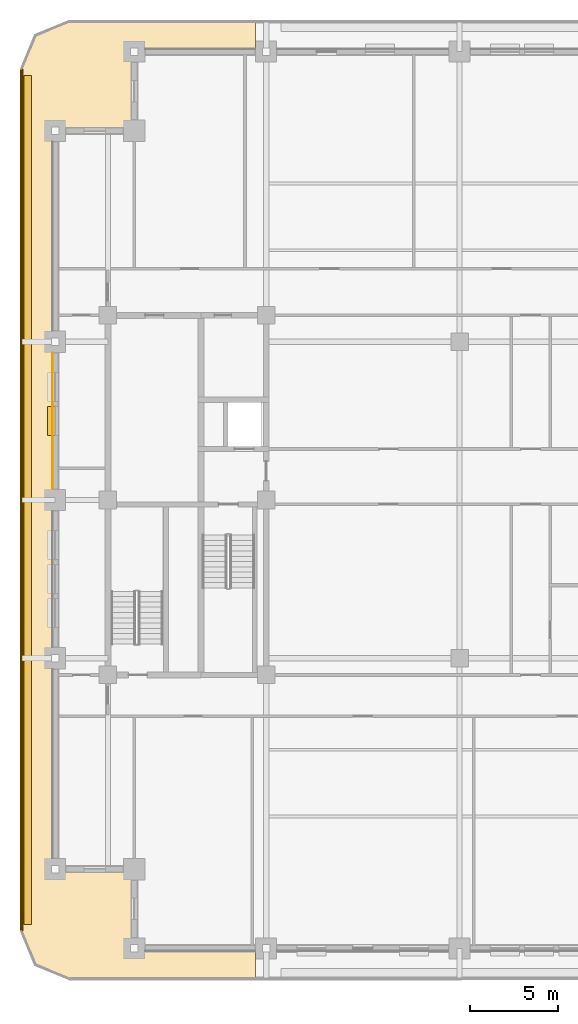
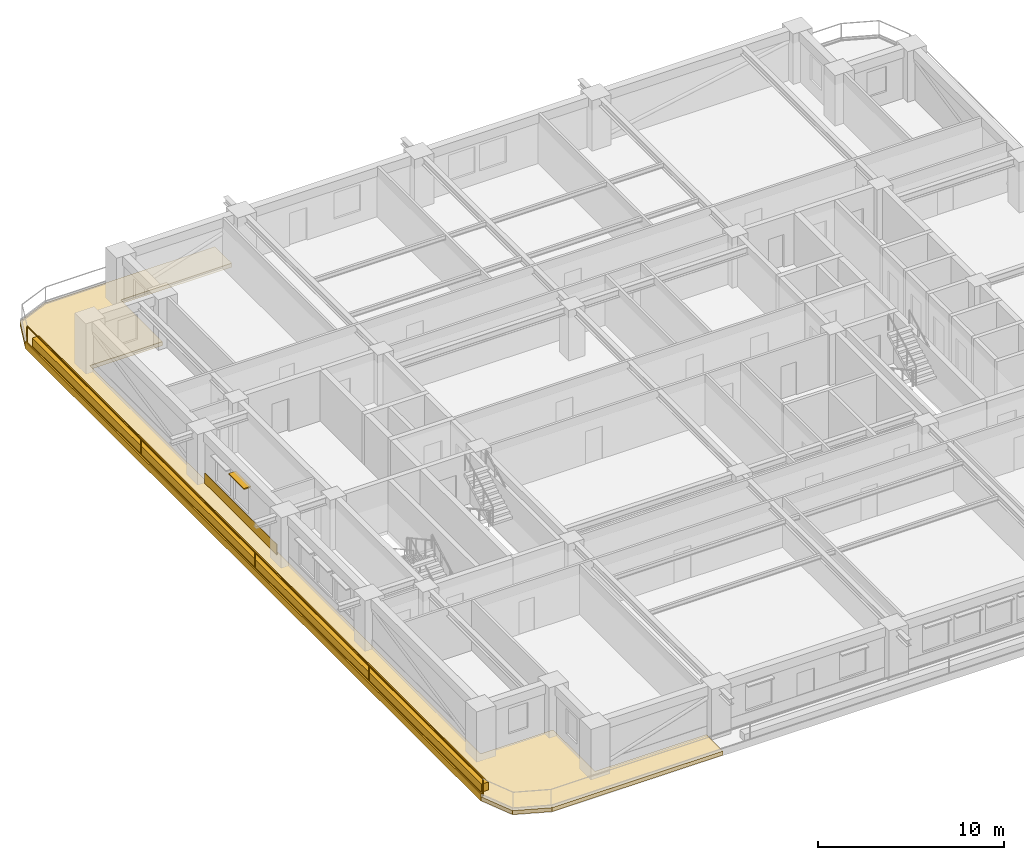
# One storey, part 9 of 13: 4 coverings, 1 railing, 1 shading device.
"""IFC4 building model written with IfcOpenShell, lengths in metres."""

from ifc_helpers import new_model, si_unit, direction, frame, frame_2d, origin, origin_2d, place, context, subcontext, project, spatial, polyline, rectangle, outline, extrude, material, layer, layer_set, type_object, element, save


model = new_model("IFC4")

# Units and contexts
model_context = context("Model", 3, precision=1e-05, world=origin(), true_north=direction((0.0, 1.0)))
body_context = subcontext(model_context, "Body", "Model", "MODEL_VIEW")
ifc_project = project(units=[si_unit("LENGTHUNIT", "METRE"), si_unit("AREAUNIT", "SQUARE_METRE"), si_unit("VOLUMEUNIT", "CUBIC_METRE"), si_unit("PLANEANGLEUNIT", "RADIAN"), si_unit("MASSUNIT", "GRAM", prefix="KILO")], contexts=[model_context])

# Site, building, storey
site_placement = place(None, origin())
site = spatial("IfcSite", under=ifc_project, at=site_placement, CompositionType="ELEMENT")
building_placement = place(site_placement, origin())
building = spatial("IfcBuilding", under=site, at=building_placement, Name="Zulmaris Gate Convention Tower", CompositionType="ELEMENT")
storey_placement = place(building_placement, frame((0.0, 0.0, 105.639892578125)))
storey = spatial("IfcBuildingStorey", under=building, at=storey_placement, Name="L26", CompositionType="ELEMENT", Elevation=105.639892578125)

# Coverings
ifc_material_1 = material(Name="Precast concrete C40/50", Category="concrete")
ifc_layer_1 = layer(ifc_material_1, 0.0400390625, Name="Precast concrete C40/50")
ifc_layer_set_1 = layer_set([ifc_layer_1], Name="Precast concrete C40/50")
covering_type_1 = type_object("IfcCoveringType", Name="CLAD-SPANDREL-PRECAST", PredefinedType="CLADDING", material=ifc_layer_set_1)
covering_1_placement = place(storey_placement, frame((-23.14990234375, 8.3701171875, 0.0), z_axis=(0.0, 0.0, 1.0), x_axis=(0.0, -1.0, 0.0)))
element("IfcCovering", 1, at=covering_1_placement, inside=storey, type_object=covering_type_1, Name="CLD-L26-W-2_0", PredefinedType="CLADDING", context=body_context, shape_type="SweptSolid", body=[
    extrude(rectangle(XDim=7.740234375, YDim=0.0400390625, at=frame_2d((3.8701171875, 0.0))), origin(), (0.0, 0.0, 1.0), 0.679931640625),
])
ifc_material_2 = material(Name="White Glazed Architectural Precast Concrete C40/50", Category="concrete")
ifc_layer_2 = layer(ifc_material_2, 0.239990234375, Name="White Glazed Architectural Precast Concrete C40/50")
ifc_layer_set_2 = layer_set([ifc_layer_2], Name="White Glazed Architectural Precast Concrete C40/50")
covering_type_2 = type_object("IfcCoveringType", Name="CLAD-TRAY-DECK", PredefinedType="CLADDING", material=ifc_layer_set_2)
covering_2_placement = place(storey_placement, frame((0.0, 0.0, -0.25)))
element("IfcCovering", 2, at=covering_2_placement, inside=storey, type_object=covering_type_2, Name="L26 West Rounded-Fascia Planter Tray Deck", PredefinedType="CLADDING", context=body_context, shape_type="SweptSolid", body=[
    extrude(outline(polyline([(-25.0, 24.5), (-24.179931640625, 26.47998046875), (-22.199951171875, 27.300048828125), (-11.60205078125, 27.300048828125), (-11.60205078125, 25.5), (-18.5, 25.5), (-18.5, 21.0), (-23.0, 21.0), (-23.0, -21.0), (-18.5, -21.0), (-18.5, -25.5), (-11.60205078125, -25.5), (-11.60205078125, -27.300048828125), (-22.199951171875, -27.300048828125), (-24.179931640625, -26.47998046875), (-25.0, -24.5), (-25.0, 24.5)])), origin(), (0.0, 0.0, 1.0), 0.260009765625),
])
ifc_layer_3 = layer(ifc_material_2, 0.080078125, Name="White Glazed Architectural Precast Concrete C40/50")
ifc_layer_set_3 = layer_set([ifc_layer_3], Name="White Glazed Architectural Precast Concrete C40/50")
covering_type_3 = type_object("IfcCoveringType", Name="CLAD-TRAY-FASCIA", PredefinedType="CLADDING", material=ifc_layer_set_3)
covering_3_placement = place(storey_placement, frame((-24.9599609375, 24.5, -0.2900390625), z_axis=(0.0, 0.0, 1.0), x_axis=(0.0, -1.0, 0.0)))
element("IfcCovering", 3, at=covering_3_placement, inside=storey, type_object=covering_type_3, Name="FSC-L26-TR-11", PredefinedType="CLADDING", context=body_context, shape_type="SweptSolid", body=[
    extrude(rectangle(XDim=49.0, YDim=0.080078125, at=frame_2d((24.5, 0.0))), origin(), (0.0, 0.0, 1.0), 0.4599609375),
])
ifc_material_3 = material(Name="Botanical Green Glazed Precast Concrete C40/50", Category="concrete")
ifc_layer_4 = layer(ifc_material_3, 0.419921875, Name="Botanical Green Glazed Precast Concrete C40/50")
ifc_layer_set_4 = layer_set([ifc_layer_4], Name="Botanical Green Glazed Precast Concrete C40/50")
covering_type_4 = type_object("IfcCoveringType", Name="PLANTER-BOX-200", PredefinedType="CLADDING", material=ifc_layer_set_4)
covering_4_placement = place(storey_placement, frame((0.0, 0.0, 0.010009765625)))
element("IfcCovering", 4, at=covering_4_placement, inside=storey, type_object=covering_type_4, Name="L26 W Full-Length Balcony Tree Planter Trough", PredefinedType="CLADDING", context=body_context, shape_type="SweptSolid", body=[
    extrude(outline(polyline([(-24.760009765625, -24.14990234375), (-24.340087890625, -24.14990234375), (-24.340087890625, 24.14990234375), (-24.760009765625, 24.14990234375), (-24.760009765625, -24.14990234375)])), origin(), (0.0, 0.0, 1.0), 0.52001953125),
])

# Railing
ifc_material_4 = material(Name="Laminated Glass and Stainless Steel", Category="steel")
railing_type = type_object("IfcRailingType", Name="RL-BALC-1150", PredefinedType="BALUSTRADE", material=ifc_material_4)
railing_placement = place(storey_placement, frame((-24.8798828125, 24.5, 0.010009765625)))
element("IfcRailing", 5, at=railing_placement, inside=storey, type_object=railing_type, Name="RL-L26-BALC-W", PredefinedType="BALUSTRADE", context=body_context, shape_type="SweptSolid", body=[
    extrude(rectangle(XDim=0.048095703125, YDim=0.048095703125, at=origin_2d()), frame((0.0, 0.0, 1.1259765625), z_axis=(0.0, -1.0, 0.0), x_axis=(1.0, 0.0, 0.0)), (0.0, 0.0, 1.0), 49.0),
    extrude(rectangle(XDim=0.048095703125, YDim=0.048095703125, at=origin_2d()), frame((0.0, 0.0, 0.02392578125), z_axis=(0.0, -1.0, 0.0), x_axis=(1.0, 0.0, 0.0)), (0.0, 0.0, 1.0), 49.0),
    extrude(rectangle(XDim=0.0419921875, YDim=0.0419921875, at=origin_2d()), origin(), (0.0, 0.0, 1.0), 1.101806640625),
    extrude(rectangle(XDim=0.0419921875, YDim=0.0419921875, at=origin_2d()), frame((0.0, -12.25, 0.0)), (0.0, 0.0, 1.0), 1.101806640625),
    extrude(rectangle(XDim=0.0419921875, YDim=0.0419921875, at=origin_2d()), frame((0.0, -24.5, 0.0)), (0.0, 0.0, 1.0), 1.101806640625),
    extrude(rectangle(XDim=0.0419921875, YDim=0.0419921875, at=origin_2d()), frame((0.0, -36.75, 0.0)), (0.0, 0.0, 1.0), 1.101806640625),
    extrude(rectangle(XDim=0.0419921875, YDim=0.0419921875, at=origin_2d()), frame((0.0, -49.0, 0.0)), (0.0, 0.0, 1.0), 1.101806640625),
])

# Shading device
ifc_material_5 = material(Name="Glazed Ceramic Terracotta", Category="masonry")
ifc_layer_5 = layer(ifc_material_5, 0.070068359375, Name="Glazed Ceramic Terracotta")
ifc_layer_set_5 = layer_set([ifc_layer_5], Name="Glazed Ceramic Terracotta")
shading_device_type = type_object("IfcShadingDeviceType", Name="SHD-SUNSHADE-TC", PredefinedType="AWNING", material=ifc_layer_set_5)
shading_device_placement = place(storey_placement, frame((-23.219970703125, 5.324951171875, 2.530029296875), z_axis=(0.0, 0.0, 1.0), x_axis=(0.0, -1.0, 0.0)))
element("IfcShadingDevice", 6, at=shading_device_placement, inside=storey, type_object=shading_device_type, Name="SHD-EW-L26-W-2_0-2", PredefinedType="AWNING", context=body_context, shape_type="SweptSolid", body=[
    extrude(rectangle(XDim=1.64990234375, YDim=0.43994140625, at=frame_2d((0.824951171875, 0.0))), origin(), (0.0, 0.0, 1.0), 0.070068359375),
])

save(model, "model.ifc")
